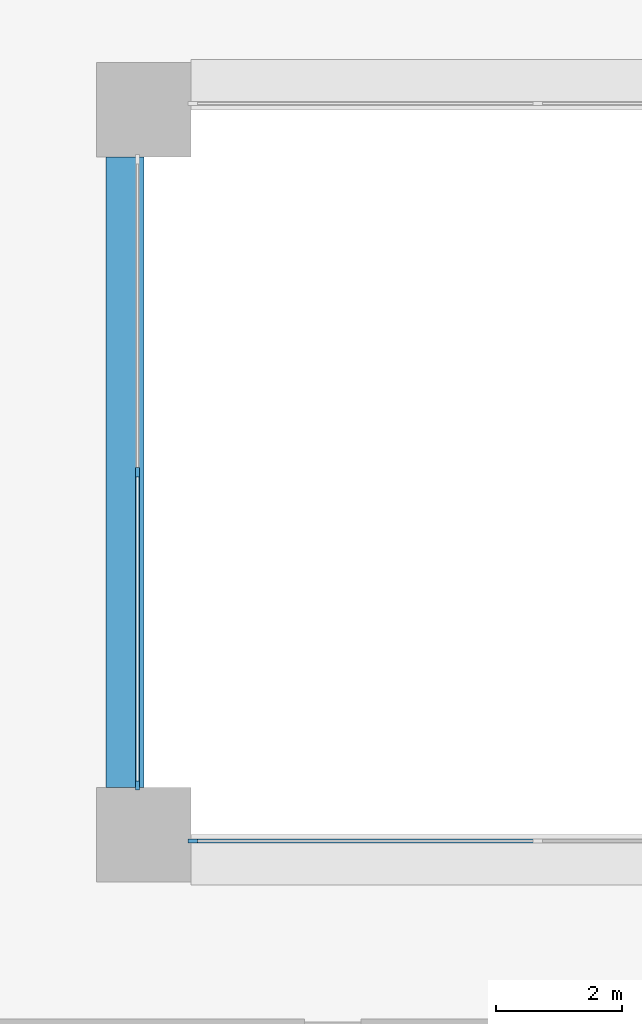
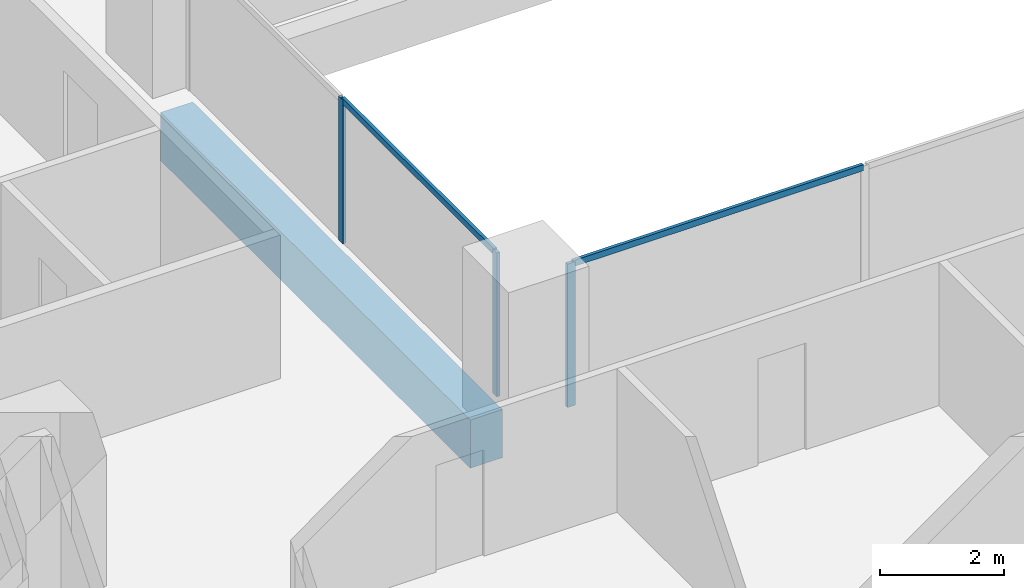
# One storey, part 2 of 19: 5 members, 1 beam, 2 elements without a shape of their own.
"""IFC4 building model written with IfcOpenShell, lengths in metres."""

from ifc_helpers import new_model, si_unit, direction, frame, origin, origin_2d, place, context, subcontext, project, spatial, rectangle, extrude, material, layer, layer_set, material_profile, profile_set, type_object, element, aggregate, save


model = new_model("IFC4")

# Units and contexts
model_context = context("Model", 3, precision=1e-05, world=origin(), true_north=direction((0.0, 1.0)))
body_context = subcontext(model_context, "Body", "Model", "MODEL_VIEW")
ifc_project = project(units=[si_unit("LENGTHUNIT", "METRE"), si_unit("AREAUNIT", "SQUARE_METRE"), si_unit("VOLUMEUNIT", "CUBIC_METRE"), si_unit("PLANEANGLEUNIT", "RADIAN"), si_unit("MASSUNIT", "GRAM", prefix="KILO")], contexts=[model_context])

# Site, building, storey
site_placement = place(None, origin())
site = spatial("IfcSite", under=ifc_project, at=site_placement, CompositionType="ELEMENT")
building_placement = place(site_placement, origin())
building = spatial("IfcBuilding", under=site, at=building_placement, Name="Brigalow Station Residences", CompositionType="ELEMENT")
storey_placement = place(building_placement, frame((0.0, 0.0, 25.800048828125)))
storey = spatial("IfcBuildingStorey", under=building, at=storey_placement, Name="L06", CompositionType="ELEMENT", Elevation=25.800048828125)

# Beam
ifc_material_1 = material(Name="Concrete C65", Category="concrete")
ifc_material_profile_1 = material_profile(ifc_material_1, rectangle(XDim=0.60009765625, YDim=0.949951171875, at=origin_2d()), Name="RC600x950")
ifc_profile_set_1 = profile_set([ifc_material_profile_1], Name="Concrete C65")
beam_type = type_object("IfcBeamType", Name="ATRIUM EDGE GIRDER 600x950 C65", PredefinedType="BEAM", material=ifc_profile_set_1)
beam_placement = place(storey_placement, frame((26.699951171875, 24.75, -0.795166015625), z_axis=(0.0, 1.0, 0.0), x_axis=(-1.0, 0.0, 0.0)))
element("IfcBeam", 1, at=beam_placement, inside=storey, type_object=beam_type, Name="ATRIUM EDGE GIRDER 3 L06", PredefinedType="BEAM", context=body_context, shape_type="SweptSolid", body=[
    extrude(rectangle(XDim=0.60009765625, YDim=0.949951171875, at=origin_2d()), origin(), (0.0, 0.0, 1.0), 10.0),
])

# Curtain wall, member
ifc_material_2 = material(Name="Aluminium", Category="aluminium")
ifc_layer = layer(ifc_material_2, 0.14990234375)
ifc_layer_set = layer_set([ifc_layer], Name="ATRIUM FIRE-RATED GLAZING CURTAIN WALL")
curtain_wall_type = type_object("IfcCurtainWallType", Name="ATRIUM FIRE-RATED GLAZING CURTAIN WALL", PredefinedType="NOTDEFINED", material=ifc_layer_set)
curtain_wall_1_placement = place(storey_placement, origin())
curtain_wall_1 = element("IfcCurtainWall", 2, at=curtain_wall_1_placement, inside=storey, type_object=curtain_wall_type, Name="L06/cw/atrium-S", PredefinedType="NOTDEFINED")
ifc_material_3 = material(Name="Aluminium", Category="aluminium")
ifc_material_profile_2 = material_profile(ifc_material_3, rectangle(XDim=0.06005859375, YDim=0.14990234375, at=origin_2d()), Name="ATRIUM FIRE-RATED GLAZING MULLION 60x150")
ifc_profile_set_2 = profile_set([ifc_material_profile_2], Name="Aluminium")
member_type_1 = type_object("IfcMemberType", Name="ATRIUM FIRE-RATED GLAZING MULLION 60x150", PredefinedType="MULLION", material=ifc_profile_set_2)
member_1_placement = place(storey_placement, frame((27.780029296875, 23.89990234375, 0.0), z_axis=(0.0, 0.0, 1.0), x_axis=(0.0, 1.0, 0.0)))
member_1 = element("IfcMember", 3, at=member_1_placement, type_object=member_type_1, Name="L06/cw/atrium-S/M00", PredefinedType="MULLION", context=body_context, shape_type="SweptSolid", body=[
    extrude(rectangle(XDim=0.06005859375, YDim=0.14990234375, at=origin_2d()), origin(), (0.0, 0.0, 1.0), 2.829833984375),
])

# Curtain wall, members
curtain_wall_2_placement = place(storey_placement, origin())
curtain_wall_2 = element("IfcCurtainWall", 4, at=curtain_wall_2_placement, inside=storey, type_object=curtain_wall_type, Name="L06/cw/atrium-W", PredefinedType="NOTDEFINED")
member_2_placement = place(storey_placement, frame((26.89990234375, 29.75, 0.0), z_axis=(0.0, 0.0, 1.0), x_axis=(1.0, 0.0, 0.0)))
member_2 = element("IfcMember", 5, at=member_2_placement, type_object=member_type_1, Name="L06/cw/atrium-W/M01", PredefinedType="MULLION", context=body_context, shape_type="SweptSolid", body=[
    extrude(rectangle(XDim=0.06005859375, YDim=0.14990234375, at=origin_2d()), origin(), (0.0, 0.0, 1.0), 2.829833984375),
])
member_3_placement = place(storey_placement, frame((26.89990234375, 24.780029296875, 0.0), z_axis=(0.0, 0.0, 1.0), x_axis=(1.0, 0.0, 0.0)))
member_3 = element("IfcMember", 6, at=member_3_placement, type_object=member_type_1, Name="L06/cw/atrium-W/M02", PredefinedType="MULLION", context=body_context, shape_type="SweptSolid", body=[
    extrude(rectangle(XDim=0.06005859375, YDim=0.14990234375, at=origin_2d()), origin(), (0.0, 0.0, 1.0), 2.829833984375),
])

# Member
ifc_material_4 = material(Name="Aluminium", Category="aluminium")
ifc_material_profile_3 = material_profile(ifc_material_4, rectangle(XDim=0.06005859375, YDim=0.1201171875, at=origin_2d()), Name="ATRIUM FIRE-RATED GLAZING TRANSOM 60x120")
ifc_profile_set_3 = profile_set([ifc_material_profile_3], Name="Aluminium")
member_type_2 = type_object("IfcMemberType", Name="ATRIUM FIRE-RATED GLAZING TRANSOM 60x120", PredefinedType="USERDEFINED", material=ifc_profile_set_3)
member_4_placement = place(storey_placement, frame((27.81005859375, 23.89990234375, 2.800048828125), z_axis=(1.0, 0.0, 0.0), x_axis=(0.0, 1.0, 0.0)))
member_4 = element("IfcMember", 7, at=member_4_placement, type_object=member_type_2, Name="L06/cw/atrium-S/T00-00", ObjectType="TRANSOM", PredefinedType="USERDEFINED", context=body_context, shape_type="SweptSolid", body=[
    extrude(rectangle(XDim=0.06005859375, YDim=0.1201171875, at=origin_2d()), origin(), (0.0, 0.0, 1.0), 5.409912109375),
])

aggregate(curtain_wall_1, [member_1, member_4])

member_5_placement = place(storey_placement, frame((26.89990234375, 29.719970703125, 2.800048828125), z_axis=(0.0, -1.0, 0.0), x_axis=(1.0, 0.0, 0.0)))
member_5 = element("IfcMember", 8, at=member_5_placement, type_object=member_type_2, Name="L06/cw/atrium-W/T01-00", ObjectType="TRANSOM", PredefinedType="USERDEFINED", context=body_context, shape_type="SweptSolid", body=[
    extrude(rectangle(XDim=0.06005859375, YDim=0.1201171875, at=origin_2d()), origin(), (0.0, 0.0, 1.0), 4.909912109375),
])

aggregate(curtain_wall_2, [member_2, member_3, member_5])

save(model, "model.ifc")
